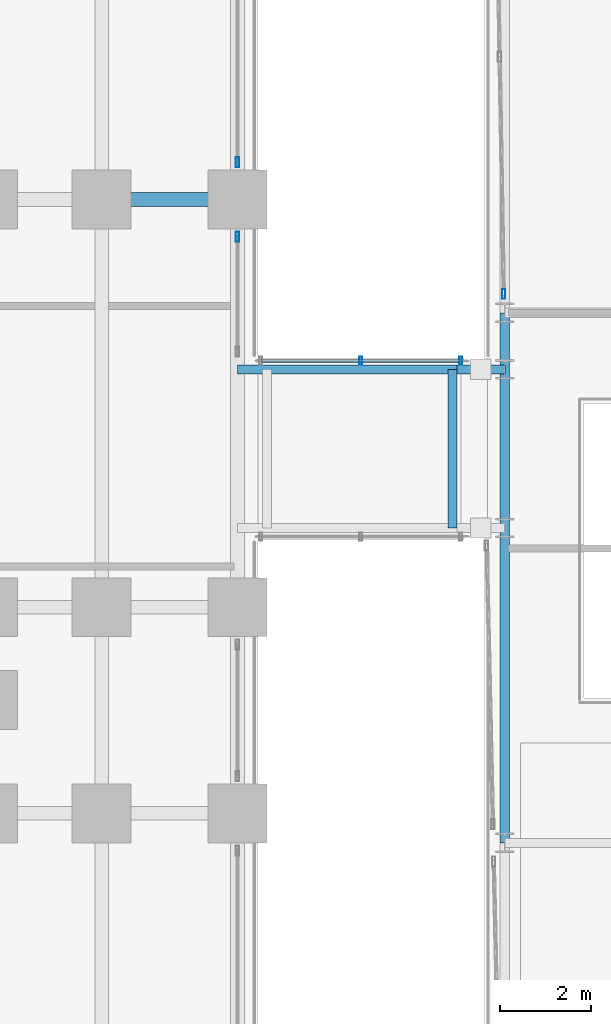
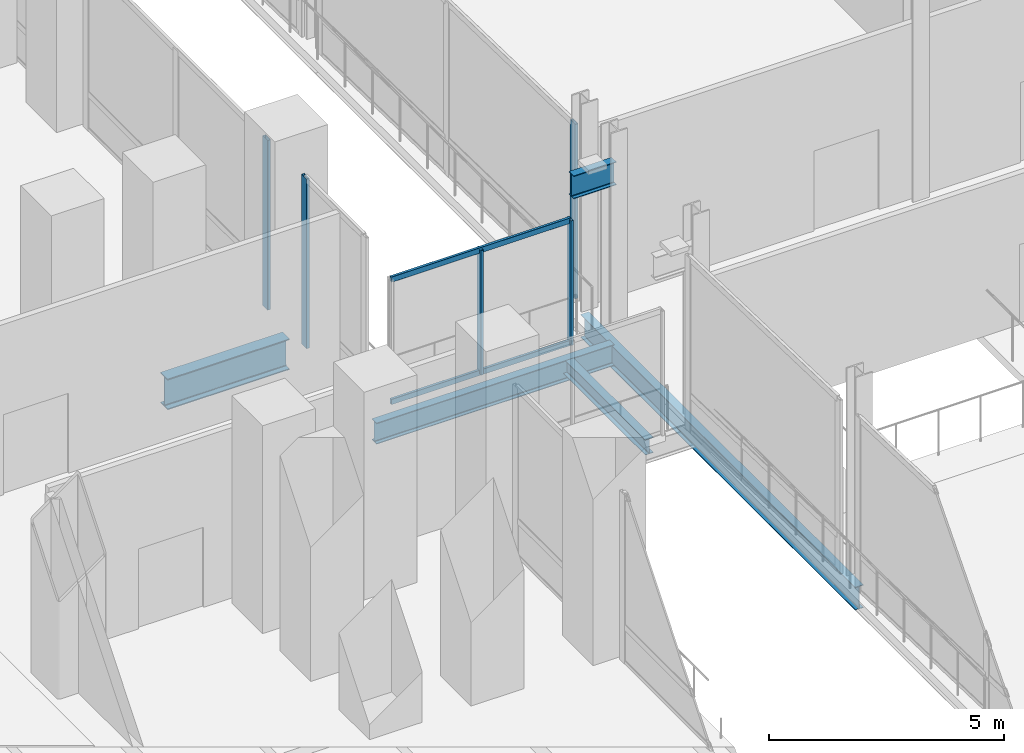
# One storey, part 15 of 31: 7 members, 5 beams, 4 elements without a shape of their own.
"""IFC4 building model written with IfcOpenShell, lengths in metres."""

from ifc_helpers import new_model, si_unit, direction, frame, origin, origin_2d, place, context, subcontext, project, spatial, hollow_rectangle, i_section, extrude, material, material_profile, profile_set, type_object, element, aggregate, save


model = new_model("IFC4")

# Units and contexts
model_context = context("Model", 3, precision=1e-05, world=origin(), true_north=direction((0.0, 1.0)))
body_context = subcontext(model_context, "Body", "Model", "MODEL_VIEW")
ifc_project = project(units=[si_unit("LENGTHUNIT", "METRE"), si_unit("AREAUNIT", "SQUARE_METRE"), si_unit("VOLUMEUNIT", "CUBIC_METRE"), si_unit("PLANEANGLEUNIT", "RADIAN"), si_unit("MASSUNIT", "GRAM", prefix="KILO")], contexts=[model_context])

# Site, building, storey
site_placement = place(None, origin())
site = spatial("IfcSite", under=ifc_project, at=site_placement, CompositionType="ELEMENT")
building_placement = place(site_placement, origin())
building = spatial("IfcBuilding", under=site, at=building_placement, Name="Noeulbin Bourse Tower", CompositionType="ELEMENT")
storey_placement = place(building_placement, frame((0.0, 0.0, 11.199951171875)))
storey = spatial("IfcBuildingStorey", under=building, at=storey_placement, Name="L03", CompositionType="ELEMENT", Elevation=11.199951171875)

# Beams
ifc_material_1 = material(Name="Steel S355", Category="steel")
ifc_material_profile_1 = material_profile(ifc_material_1, i_section(OverallWidth=0.199951171875, OverallDepth=0.550048828125, WebThickness=0.010009765625, FlangeThickness=0.01611328125, FilletRadius=0.02001953125, at=origin_2d()), Name="H-550x200x10x16", Category="LoadBearing")
ifc_profile_set_1 = profile_set([ifc_material_profile_1], Name="Steel S355")
beam_type_1 = type_object("IfcBeamType", Name="BM-GRD-550", PredefinedType="USERDEFINED", material=ifc_profile_set_1)
beam_1_placement = place(storey_placement, frame((54.550048828125, 25.25, -0.474853515625), z_axis=(1.0, 0.0, 0.0), x_axis=(0.0, 1.0, 0.0)))
element("IfcBeam", 1, at=beam_1_placement, inside=storey, type_object=beam_type_1, Name="Link Bridge Girder L03-2", ObjectType="GIRDER", PredefinedType="USERDEFINED", context=body_context, shape_type="SweptSolid", body=[
    extrude(i_section(OverallWidth=0.199951171875, OverallDepth=0.550048828125, WebThickness=0.010009765625, FlangeThickness=0.01611328125, FilletRadius=0.02001953125, at=origin_2d()), origin(), (0.0, 0.0, 1.0), 5.849853515625),
])
ifc_material_profile_2 = material_profile(ifc_material_1, i_section(OverallWidth=0.199951171875, OverallDepth=0.60009765625, WebThickness=0.010986328125, FlangeThickness=0.01708984375, FilletRadius=0.02197265625, at=origin_2d()), Name="H-600x200x11x17", Category="LoadBearing")
ifc_profile_set_2 = profile_set([ifc_material_profile_2], Name="Steel S355")
beam_type_2 = type_object("IfcBeamType", Name="BM-GRD-600", PredefinedType="USERDEFINED", material=ifc_profile_set_2)
beam_2_placement = place(storey_placement, frame((60.449951171875, 14.800048828125, -0.52001953125), z_axis=(0.0, 1.0, 0.0), x_axis=(-1.0, 0.0, 0.0)))
element("IfcBeam", 2, at=beam_2_placement, inside=storey, type_object=beam_type_2, Name="Market Hall Girder NS L03-12", ObjectType="GIRDER", PredefinedType="USERDEFINED", context=body_context, shape_type="SweptSolid", body=[
    extrude(i_section(OverallWidth=0.199951171875, OverallDepth=0.60009765625, WebThickness=0.010986328125, FlangeThickness=0.01708984375, FilletRadius=0.02197265625, at=origin_2d()), origin(), (0.0, 0.0, 1.0), 11.699951171875),
])
beam_3_placement = place(storey_placement, frame((59.39990234375, 25.25, 4.22998046875), z_axis=(1.0, 0.0, 0.0), x_axis=(0.0, 1.0, 0.0)))
element("IfcBeam", 3, at=beam_3_placement, inside=storey, type_object=beam_type_2, Name="Bridge Bearing Corbel Seat L04-2", ObjectType="GIRDER", PredefinedType="USERDEFINED", context=body_context, shape_type="SweptSolid", body=[
    extrude(i_section(OverallWidth=0.199951171875, OverallDepth=0.60009765625, WebThickness=0.010986328125, FlangeThickness=0.01708984375, FilletRadius=0.02197265625, at=origin_2d()), origin(), (0.0, 0.0, 1.0), 1.050048828125),
])
ifc_material_profile_3 = material_profile(ifc_material_1, i_section(OverallWidth=0.300048828125, OverallDepth=0.800048828125, WebThickness=0.013916015625, FlangeThickness=0.02587890625, FilletRadius=0.02587890625, at=origin_2d()), Name="H-800x300x14x26", Category="LoadBearing")
ifc_profile_set_3 = profile_set([ifc_material_profile_3], Name="Steel S355")
beam_type_3 = type_object("IfcBeamType", Name="BM-GRD-800", PredefinedType="USERDEFINED", material=ifc_profile_set_3)
beam_4_placement = place(storey_placement, frame((51.550048828125, 29.0, -0.64990234375), z_axis=(1.0, 0.0, 0.0), x_axis=(0.0, 1.0, 0.0)))
element("IfcBeam", 4, at=beam_4_placement, inside=storey, type_object=beam_type_3, Name="Podium Primary Girder EW L03-032", ObjectType="GIRDER", PredefinedType="USERDEFINED", context=body_context, shape_type="SweptSolid", body=[
    extrude(i_section(OverallWidth=0.300048828125, OverallDepth=0.800048828125, WebThickness=0.013916015625, FlangeThickness=0.02587890625, FilletRadius=0.02587890625, at=origin_2d()), origin(), (0.0, 0.0, 1.0), 3.0),
])
ifc_material_profile_4 = material_profile(ifc_material_1, i_section(OverallWidth=0.199951171875, OverallDepth=0.39990234375, WebThickness=0.008056640625, FlangeThickness=0.012939453125, FilletRadius=0.01611328125, at=origin_2d()), Name="H-400x200x8x13", Category="LoadBearing")
ifc_profile_set_4 = profile_set([ifc_material_profile_4], Name="Steel S355")
beam_type_4 = type_object("IfcBeamType", Name="BM-SEC-400", PredefinedType="BEAM", material=ifc_profile_set_4)
beam_5_placement = place(storey_placement, frame((59.300048828125, 21.75, -0.39990234375), z_axis=(0.0, 1.0, 0.0), x_axis=(-1.0, 0.0, 0.0)))
element("IfcBeam", 5, at=beam_5_placement, inside=storey, type_object=beam_type_4, Name="BM-L03-BRGX-2", PredefinedType="BEAM", context=body_context, shape_type="SweptSolid", body=[
    extrude(i_section(OverallWidth=0.199951171875, OverallDepth=0.39990234375, WebThickness=0.008056640625, FlangeThickness=0.012939453125, FilletRadius=0.01611328125, at=origin_2d()), origin(), (0.0, 0.0, 1.0), 3.5),
])

# Curtain wall, member
ifc_material_2 = material(Name="Laminated Clear Low-E Glass", Category="glass")
curtain_wall_type_1 = type_object("IfcCurtainWallType", Name="CW-SYS-1", PredefinedType="NOTDEFINED", material=ifc_material_2)
curtain_wall_1_placement = place(storey_placement, origin())
curtain_wall_1 = element("IfcCurtainWall", 6, at=curtain_wall_1_placement, inside=storey, type_object=curtain_wall_type_1, Name="Unitised Curtain Wall CW-L03-POD-E2-S1", PredefinedType="NOTDEFINED")
ifc_material_3 = material(Name="Anodised Aluminium 6063-T6", Category="aluminium")
ifc_material_profile_5 = material_profile(ifc_material_3, hollow_rectangle(XDim=0.074951171875, YDim=0.219970703125, WallThickness=0.0048828125, InnerFilletRadius=0.00244140625, OuterFilletRadius=0.0048828125, at=origin_2d()), Name="ALU-MULL-75x220x5", Category="LoadBearing")
ifc_profile_set_5 = profile_set([ifc_material_profile_5], Name="Anodised Aluminium 6063-T6")
member_type_1 = type_object("IfcMemberType", Name="CW-SYS-1-MUL", PredefinedType="MULLION", material=ifc_profile_set_5)
member_1_placement = place(storey_placement, frame((54.550048828125, 28.175048828125, -0.02001953125), z_axis=(0.0, 0.0, 1.0), x_axis=(1.0, 0.0, 0.0)))
member_1 = element("IfcMember", 7, at=member_1_placement, type_object=member_type_1, Name="Curtain Wall Mullion CW-L03-POD-E2-S1-M01", PredefinedType="MULLION", context=body_context, shape_type="SweptSolid", body=[
    extrude(hollow_rectangle(XDim=0.074951171875, YDim=0.219970703125, WallThickness=0.0048828125, InnerFilletRadius=0.00244140625, OuterFilletRadius=0.0048828125, at=origin_2d()), origin(), (0.0, 0.0, 1.0), 4.41015625),
])
aggregate(curtain_wall_1, [member_1])

curtain_wall_2_placement = place(storey_placement, origin())
curtain_wall_2 = element("IfcCurtainWall", 8, at=curtain_wall_2_placement, inside=storey, type_object=curtain_wall_type_1, Name="Unitised Curtain Wall CW-L03-POD-E2-S2", PredefinedType="NOTDEFINED")
member_2_placement = place(storey_placement, frame((54.550048828125, 29.824951171875, -0.02001953125), z_axis=(0.0, 0.0, 1.0), x_axis=(1.0, 0.0, 0.0)))
member_2 = element("IfcMember", 9, at=member_2_placement, type_object=member_type_1, Name="Curtain Wall Mullion CW-L03-POD-E2-S2-M00", PredefinedType="MULLION", context=body_context, shape_type="SweptSolid", body=[
    extrude(hollow_rectangle(XDim=0.074951171875, YDim=0.219970703125, WallThickness=0.0048828125, InnerFilletRadius=0.00244140625, OuterFilletRadius=0.0048828125, at=origin_2d()), origin(), (0.0, 0.0, 1.0), 4.41015625),
])
aggregate(curtain_wall_2, [member_2])

curtain_wall_3_placement = place(storey_placement, origin())
curtain_wall_3 = element("IfcCurtainWall", 10, at=curtain_wall_3_placement, inside=storey, type_object=curtain_wall_type_1, Name="Unitised Curtain Wall CW-L03-MKT-W2-S1", PredefinedType="NOTDEFINED")
member_3_placement = place(storey_placement, frame((60.427001953125, 26.9140625, -0.02001953125), z_axis=(0.0, 0.0, 1.0), x_axis=(1.0, 0.0, 0.0)))
member_3 = element("IfcMember", 11, at=member_3_placement, type_object=member_type_1, Name="Curtain Wall Mullion CW-L03-MKT-W2-S1-M00", PredefinedType="MULLION", context=body_context, shape_type="SweptSolid", body=[
    extrude(hollow_rectangle(XDim=0.074951171875, YDim=0.219970703125, WallThickness=0.0048828125, InnerFilletRadius=0.00244140625, OuterFilletRadius=0.0048828125, at=origin_2d()), origin(), (0.0, 0.0, 1.0), 4.5400390625),
])
aggregate(curtain_wall_3, [member_3])

# Curtain wall, members
ifc_material_4 = material(Name="Acoustic Laminated Skylight Glazing", Category="glass")
curtain_wall_type_2 = type_object("IfcCurtainWallType", Name="CW-SYS-6", PredefinedType="NOTDEFINED", material=ifc_material_4)
curtain_wall_4_placement = place(storey_placement, origin())
curtain_wall_4 = element("IfcCurtainWall", 12, at=curtain_wall_4_placement, inside=storey, type_object=curtain_wall_type_2, Name="Unitised Curtain Wall CW-L03-BRG-N", PredefinedType="NOTDEFINED")
ifc_material_profile_6 = material_profile(ifc_material_3, hollow_rectangle(XDim=0.06494140625, YDim=0.179931640625, WallThickness=0.00390625, InnerFilletRadius=0.001953125, OuterFilletRadius=0.00390625, at=origin_2d()), Name="ALU-MULL-65x180x4", Category="LoadBearing")
ifc_profile_set_6 = profile_set([ifc_material_profile_6], Name="Anodised Aluminium 6063-T6")
member_type_2 = type_object("IfcMemberType", Name="CW-SYS-6-MUL", PredefinedType="MULLION", material=ifc_profile_set_6)
member_4_placement = place(storey_placement, frame((57.27001953125, 25.43994140625, -0.02001953125), z_axis=(0.0, 0.0, 1.0), x_axis=(1.0, 0.0, 0.0)))
member_4 = element("IfcMember", 13, at=member_4_placement, type_object=member_type_2, Name="Curtain Wall Mullion CW-L03-BRG-N-M01", PredefinedType="MULLION", context=body_context, shape_type="SweptSolid", body=[
    extrude(hollow_rectangle(XDim=0.06494140625, YDim=0.179931640625, WallThickness=0.00390625, InnerFilletRadius=0.001953125, OuterFilletRadius=0.00390625, at=origin_2d()), origin(), (0.0, 0.0, 1.0), 3.239990234375),
])
member_5_placement = place(storey_placement, frame((59.47998046875, 25.43994140625, -0.02001953125), z_axis=(0.0, 0.0, 1.0), x_axis=(1.0, 0.0, 0.0)))
member_5 = element("IfcMember", 14, at=member_5_placement, type_object=member_type_2, Name="Curtain Wall Mullion CW-L03-BRG-N-M02", PredefinedType="MULLION", context=body_context, shape_type="SweptSolid", body=[
    extrude(hollow_rectangle(XDim=0.06494140625, YDim=0.179931640625, WallThickness=0.00390625, InnerFilletRadius=0.001953125, OuterFilletRadius=0.00390625, at=origin_2d()), origin(), (0.0, 0.0, 1.0), 3.239990234375),
])
ifc_material_profile_7 = material_profile(ifc_material_3, hollow_rectangle(XDim=0.06494140625, YDim=0.139892578125, WallThickness=0.00390625, InnerFilletRadius=0.001953125, OuterFilletRadius=0.00390625, at=origin_2d()), Name="ALU-TRAN-65x140x4", Category="LoadBearing")
ifc_profile_set_7 = profile_set([ifc_material_profile_7], Name="Anodised Aluminium 6063-T6")
member_type_3 = type_object("IfcMemberType", Name="CW-SYS-6-TRN", PredefinedType="USERDEFINED", material=ifc_profile_set_7)
member_6_placement = place(storey_placement, frame((55.070068359375, 25.43994140625, 0.010009765625), z_axis=(1.0, 0.0, 0.0), x_axis=(0.0, 1.0, 0.0)))
member_6 = element("IfcMember", 15, at=member_6_placement, type_object=member_type_3, Name="Curtain Wall Transom CW-L03-BRG-N-T00", ObjectType="TRANSOM", PredefinedType="USERDEFINED", context=body_context, shape_type="SweptSolid", body=[
    extrude(hollow_rectangle(XDim=0.06494140625, YDim=0.139892578125, WallThickness=0.00390625, InnerFilletRadius=0.001953125, OuterFilletRadius=0.00390625, at=origin_2d()), origin(), (0.0, 0.0, 1.0), 4.39990234375),
])
member_7_placement = place(storey_placement, frame((55.070068359375, 25.43994140625, 3.18994140625), z_axis=(1.0, 0.0, 0.0), x_axis=(0.0, 1.0, 0.0)))
member_7 = element("IfcMember", 16, at=member_7_placement, type_object=member_type_3, Name="Curtain Wall Transom CW-L03-BRG-N-T01", ObjectType="TRANSOM", PredefinedType="USERDEFINED", context=body_context, shape_type="SweptSolid", body=[
    extrude(hollow_rectangle(XDim=0.06494140625, YDim=0.139892578125, WallThickness=0.00390625, InnerFilletRadius=0.001953125, OuterFilletRadius=0.00390625, at=origin_2d()), origin(), (0.0, 0.0, 1.0), 4.39990234375),
])
aggregate(curtain_wall_4, [member_4, member_5, member_6, member_7])

save(model, "model.ifc")
